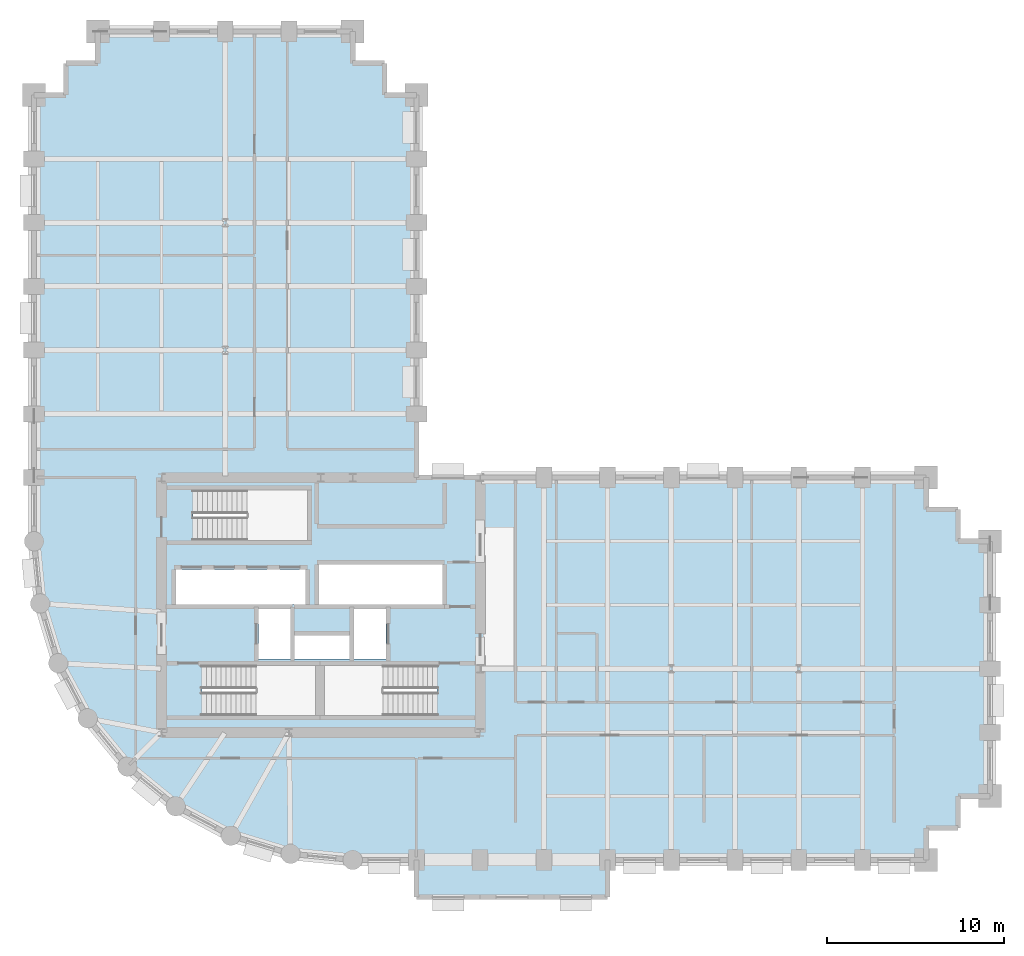
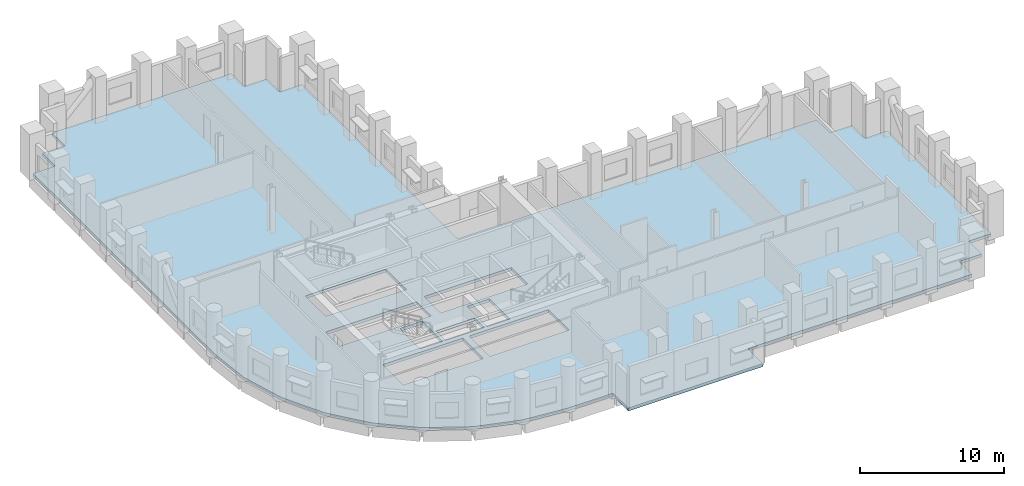
# One storey, part 4 of 12: 1 slab.
"""IFC4 building model written with IfcOpenShell, lengths in metres."""

import ifcopenshell
import ifcopenshell.guid

model = None  # the IFC model being written
_history = None  # IfcOwnerHistory: only IFC2X3 demands one
_inside = {}  # id of a spatial element -> (the spatial element, [elements in it])
_under = {}  # id of a project, library or spatial element -> (it, [spatial elements below it])
_declared = {}  # id of a project -> (the project, [libraries it declares])
_typed = {}  # id of a type object -> (the type object, [elements of that type])
_made_of = {}  # id of a material, layer set ... -> (it, [elements and type objects made of it])


def new_model(schema):
    """Start an empty IFC model of exactly this schema.

    Asked for "IFC4X3", IfcOpenShell would pick the latest addendum, in which some entities
    have other attributes; the version numbers below select the first issue.
    IFC2X3 requires an IfcOwnerHistory on every rooted entity: one is made here for all.
    """
    global model, _history
    if schema == "IFC4X3":
        model = ifcopenshell.file(schema_version=(4, 3, 0, 0))
    else:
        model = ifcopenshell.file(schema=schema)
    _inside.clear()
    _under.clear()
    _declared.clear()
    _typed.clear()
    _made_of.clear()
    _history = None
    if model.schema == "IFC2X3":
        org = make("IfcOrganization", Name="unknown")
        user = make(
            "IfcPersonAndOrganization",
            ThePerson=make("IfcPerson", FamilyName="unknown"),
            TheOrganization=org,
        )
        app = make(
            "IfcApplication",
            ApplicationDeveloper=org,
            Version="unknown",
            ApplicationFullName="unknown",
            ApplicationIdentifier="unknown",
        )
        _history = make(
            "IfcOwnerHistory",
            OwningUser=user,
            OwningApplication=app,
            ChangeAction="ADDED",
            CreationDate=0,
        )
    return model


def make(cls, **values):
    """One entity of the class cls with the attributes given. An attribute that is None is left unset."""
    return model.create_entity(
        cls, **{name: value for name, value in values.items() if value is not None}
    )


def rooted(cls, **values):
    """An entity with a GlobalId (a new one), such as an element, a storey or a relation."""
    return make(cls, GlobalId=ifcopenshell.guid.new(), OwnerHistory=_history, **values)


def si_unit(unit_type, name, prefix=None):
    """IfcSIUnit, for example si_unit("LENGTHUNIT", "METRE", prefix="MILLI")."""
    return make("IfcSIUnit", UnitType=unit_type, Prefix=prefix, Name=name)


def assignment(units):
    """IfcUnitAssignment: the units of a project."""
    return None if units is None else make("IfcUnitAssignment", Units=units)


def point(xyz):
    """IfcCartesianPoint."""
    return None if xyz is None else make("IfcCartesianPoint", Coordinates=xyz)


def direction(xyz):
    """IfcDirection."""
    return None if xyz is None else make("IfcDirection", DirectionRatios=xyz)


def frame(location, z_axis=None, x_axis=None):
    """IfcAxis2Placement3D, a coordinate frame: its origin and axes. An axis left out is left unset."""
    return make(
        "IfcAxis2Placement3D",
        Location=point(location),
        Axis=direction(z_axis),
        RefDirection=direction(x_axis),
    )


def origin():
    """The frame at (0, 0, 0) with its axes left unset."""
    return frame((0.0, 0.0, 0.0))


def place(relative_to, where):
    """IfcLocalPlacement: puts the frame where relative to a parent placement (None: the world)."""
    return make(
        "IfcLocalPlacement", PlacementRelTo=relative_to, RelativePlacement=where
    )


def context(
    kind, dimensions, precision=None, world=None, true_north=None, identifier=None
):
    """IfcGeometricRepresentationContext, for example the 3D "Model" context."""
    return make(
        "IfcGeometricRepresentationContext",
        ContextIdentifier=identifier,
        ContextType=kind,
        CoordinateSpaceDimension=dimensions,
        Precision=precision,
        WorldCoordinateSystem=world,
        TrueNorth=true_north,
    )


def subcontext(parent, identifier, kind, view, scale=None):
    """IfcGeometricRepresentationSubContext, for example "Body" below "Model"."""
    return make(
        "IfcGeometricRepresentationSubContext",
        ContextIdentifier=identifier,
        ContextType=kind,
        ParentContext=parent,
        TargetScale=scale,
        TargetView=view,
    )


def project(units=None, contexts=None):
    """IfcProject with its units and contexts."""
    return rooted(
        "IfcProject",
        Name="project",
        RepresentationContexts=contexts,
        UnitsInContext=assignment(units),
    )


def spatial(cls, under=None, at=None, **own):
    """A site, building, storey or space (cls), placed at a placement, below another one or the project."""
    s = rooted(cls, ObjectPlacement=at, **own)
    if under is not None:
        _under.setdefault(under.id(), (under, []))[1].append(s)
    return s


def polyline(points):
    """IfcPolyline through the points."""
    return make("IfcPolyline", Points=[point(p) for p in points])


def outline(outer, holes=None, kind="AREA"):
    """IfcArbitraryClosedProfileDef: a profile drawn as a closed curve; with holes, ...WithVoids."""
    if holes is None:
        return make("IfcArbitraryClosedProfileDef", ProfileType=kind, OuterCurve=outer)
    return make(
        "IfcArbitraryProfileDefWithVoids",
        ProfileType=kind,
        OuterCurve=outer,
        InnerCurves=holes,
    )


def extrude(swept, where, along, depth):
    """IfcExtrudedAreaSolid: the profile swept, set in the frame where, extruded along a direction by depth."""
    return make(
        "IfcExtrudedAreaSolid",
        SweptArea=swept,
        Position=where,
        ExtrudedDirection=direction(along),
        Depth=depth,
    )


def shape(context_of_items, identifier, shape_type, items):
    """IfcShapeRepresentation: the items that make up one representation, for example the "Body"."""
    return make(
        "IfcShapeRepresentation",
        ContextOfItems=context_of_items,
        RepresentationIdentifier=identifier,
        RepresentationType=shape_type,
        Items=items,
    )


def material(Name=None, Category=None):
    """IfcMaterial."""
    return make("IfcMaterial", Name=Name, Category=Category)


def layer(
    of_material, thickness, ventilated=None, Name=None, Category=None, Priority=None
):
    """IfcMaterialLayer: one layer of a wall or slab, of a material (None: an air gap)."""
    return make(
        "IfcMaterialLayer",
        Material=of_material,
        LayerThickness=thickness,
        IsVentilated=ventilated,
        Name=Name,
        Category=Category,
        Priority=Priority,
    )


def layer_set(layers, Name=None):
    """IfcMaterialLayerSet."""
    return make("IfcMaterialLayerSet", MaterialLayers=layers, LayerSetName=Name)


def made_of(thing, what):
    """Note that an element or type object is made of a material, layer set ...; save() writes the relation."""
    if what is not None:
        _made_of.setdefault(what.id(), (what, []))[1].append(thing)
    return thing


def type_object(cls, material=None, **own):
    """A type object (cls), such as IfcWallType, which elements share."""
    return made_of(rooted(cls, **own), material)


def element(
    cls,
    number,
    at=None,
    inside=None,
    cuts=None,
    type_object=None,
    material=None,
    context=None,
    identifier="Body",
    shape_type=None,
    held_by="IfcProductDefinitionShape",
    body=None,
    shapes=None,
    **own,
):
    """One element of the class cls, such as IfcWall. Its Tag is "e" and its number.

    at: its placement. inside: the storey or other place that contains it. cuts: it is an
    opening in that element (IfcRelVoidsElement). A single representation is given by context,
    identifier, shape_type and body (its items); several are given by shapes. held_by: the class
    of the entity that holds the representations. save() writes the other relations.
    """
    e = rooted(cls, Tag="e%d" % number, ObjectPlacement=at, **own)
    if body is not None:
        shapes = [shape(context, identifier, shape_type, body)]
    if shapes is not None:
        e.Representation = make(held_by, Representations=shapes)
    if inside is not None:
        _inside.setdefault(inside.id(), (inside, []))[1].append(e)
    if cuts is not None:
        rooted(
            "IfcRelVoidsElement", RelatingBuildingElement=cuts, RelatedOpeningElement=e
        )
    if type_object is not None:
        _typed.setdefault(type_object.id(), (type_object, []))[1].append(e)
    return made_of(e, material)


def aggregate(whole, parts):
    """IfcRelAggregates: a whole, such as a stair, and the parts it consists of."""
    return rooted("IfcRelAggregates", RelatingObject=whole, RelatedObjects=parts)


def save(model, path):
    """Write the relations noted so far, then the file.

    IfcRelAggregates (storeys below a building ...), IfcRelContainedInSpatialStructure (elements
    in a storey), IfcRelDefinesByType, IfcRelAssociatesMaterial and IfcRelDeclares: one each for
    every whole, place, type object, material and project.
    """
    for whole, parts in _under.values():
        aggregate(whole, parts)
    for where, things in _inside.values():
        rooted(
            "IfcRelContainedInSpatialStructure",
            RelatedElements=things,
            RelatingStructure=where,
        )
    for kind, things in _typed.values():
        rooted("IfcRelDefinesByType", RelatedObjects=things, RelatingType=kind)
    for what, things in _made_of.values():
        rooted("IfcRelAssociatesMaterial", RelatedObjects=things, RelatingMaterial=what)
    for by, libraries in _declared.values():
        rooted("IfcRelDeclares", RelatingContext=by, RelatedDefinitions=libraries)
    model.write(path)


model = new_model("IFC4")

# Units and contexts
model_context = context("Model", 3, precision=1e-05, world=origin(), true_north=direction((0.0, 1.0)))
body_context = subcontext(model_context, "Body", "Model", "MODEL_VIEW")
ifc_project = project(units=[si_unit("LENGTHUNIT", "METRE"), si_unit("AREAUNIT", "SQUARE_METRE"), si_unit("VOLUMEUNIT", "CUBIC_METRE"), si_unit("PLANEANGLEUNIT", "RADIAN"), si_unit("MASSUNIT", "GRAM", prefix="KILO")], contexts=[model_context])

# Site, building, storey
site_placement = place(None, origin())
site = spatial("IfcSite", under=ifc_project, at=site_placement, CompositionType="ELEMENT")
building_placement = place(site_placement, origin())
building = spatial("IfcBuilding", under=site, at=building_placement, Name="Solnavia Interchange Tower", CompositionType="ELEMENT")
storey_placement = place(building_placement, frame((0.0, 0.0, 31.800048828125)))
storey = spatial("IfcBuildingStorey", under=building, at=storey_placement, Name="L07", CompositionType="ELEMENT", Elevation=31.800048828125)

# Slab
ifc_material = material(Name="Concrete C40/50", Category="concrete")
ifc_layer = layer(ifc_material, 0.25)
ifc_layer_set = layer_set([ifc_layer], Name="Concrete C40/50")
slab_type = type_object("IfcSlabType", Name="Slab-Tower-250", PredefinedType="FLOOR", material=ifc_layer_set)
slab_placement = place(storey_placement, frame((0.0, 0.0, -0.25)))
element("IfcSlab", 1, at=slab_placement, inside=storey, type_object=slab_type, Name="SLB-L07-01 Structural floor slab", PredefinedType="FLOOR", context=body_context, shape_type="SweptSolid", body=[
    extrude(outline(polyline([(25.199951171875, 3.60009765625), (28.800048828125, 3.60009765625), (28.800048828125, 1.5), (39.60009765625, 1.5), (39.60009765625, 3.60009765625), (57.60009765625, 3.60009765625), (57.60009765625, 5.39990234375), (59.39990234375, 5.39990234375), (59.39990234375, 7.199951171875), (61.199951171875, 7.199951171875), (61.199951171875, 21.60009765625), (59.39990234375, 21.60009765625), (59.39990234375, 23.39990234375), (57.60009765625, 23.39990234375), (57.60009765625, 25.199951171875), (28.800048828125, 25.199951171875), (28.800048828125, 46.800048828125), (27.0, 46.800048828125), (27.0, 48.60009765625), (25.199951171875, 48.60009765625), (25.199951171875, 50.39990234375), (10.800048828125, 50.39990234375), (10.800048828125, 48.60009765625), (9.0, 48.60009765625), (9.0, 46.800048828125), (7.199951171875, 46.800048828125), (7.199951171875, 21.60009765625), (7.5458984375, 18.087890625), (8.570068359375, 14.7119140625), (10.23388671875, 11.60009765625), (12.471923828125, 8.8720703125), (15.199951171875, 6.634033203125), (18.31201171875, 4.969970703125), (21.68798828125, 3.946044921875), (25.199951171875, 3.60009765625)]), holes=[polyline([(16.675048828125, 11.75), (23.10009765625, 11.75), (23.10009765625, 14.590087890625), (16.675048828125, 14.590087890625), (16.675048828125, 11.75)]), polyline([(23.60009765625, 11.75), (29.97509765625, 11.75), (29.97509765625, 14.590087890625), (23.60009765625, 14.590087890625), (23.60009765625, 11.75)]), polyline([(16.175048828125, 21.64990234375), (22.64990234375, 21.64990234375), (22.64990234375, 24.489990234375), (16.175048828125, 24.489990234375), (16.175048828125, 21.64990234375)]), polyline([(19.8798828125, 14.9599609375), (21.679931640625, 14.9599609375), (21.679931640625, 17.780029296875), (19.8798828125, 17.780029296875), (19.8798828125, 14.9599609375)]), polyline([(25.280029296875, 14.9599609375), (27.080078125, 14.9599609375), (27.080078125, 17.780029296875), (25.280029296875, 17.780029296875), (25.280029296875, 14.9599609375)]), polyline([(21.919921875, 14.9599609375), (25.02001953125, 14.9599609375), (25.02001953125, 16.280029296875), (21.919921875, 16.280029296875), (21.919921875, 14.9599609375)]), polyline([(15.219970703125, 18.02001953125), (22.52001953125, 18.02001953125), (22.52001953125, 20.0), (15.219970703125, 20.0), (15.219970703125, 18.02001953125)]), polyline([(23.300048828125, 18.02001953125), (30.280029296875, 18.02001953125), (30.280029296875, 20.300048828125), (23.300048828125, 20.300048828125), (23.300048828125, 18.02001953125)])]), origin(), (0.0, 0.0, 1.0), 0.25),
])

save(model, "model.ifc")
